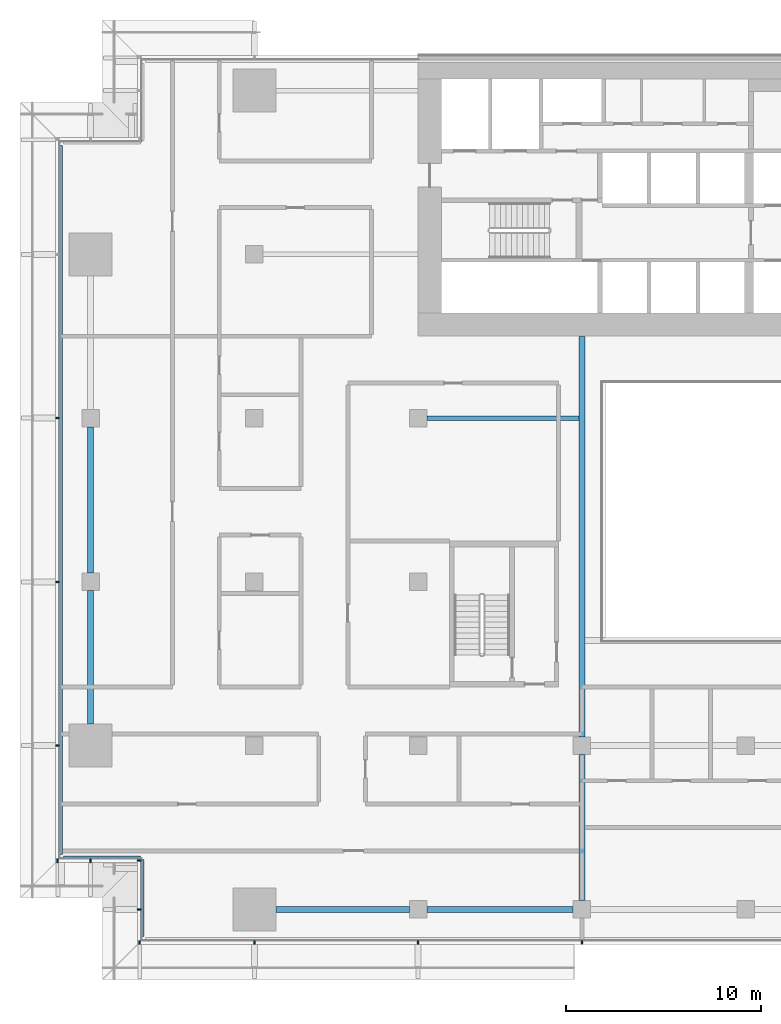
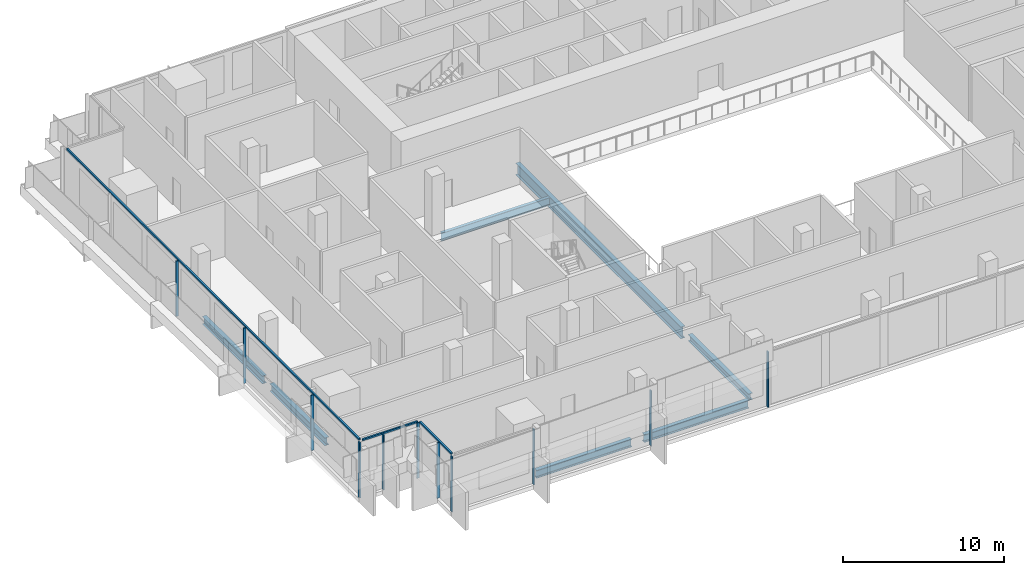
# One storey, part 2 of 23: 14 members, 7 beams, 4 elements without a shape of their own.
"""IFC4 building model written with IfcOpenShell, lengths in metres."""

from ifc_helpers import new_model, si_unit, direction, frame, origin, origin_2d, place, context, subcontext, project, spatial, rectangle, i_section, extrude, material, material_profile, profile_set, type_object, element, aggregate, save


model = new_model("IFC4")

# Units and contexts
model_context = context("Model", 3, precision=1e-05, world=origin(), true_north=direction((0.0, 1.0)))
body_context = subcontext(model_context, "Body", "Model", "MODEL_VIEW")
ifc_project = project(units=[si_unit("LENGTHUNIT", "METRE"), si_unit("AREAUNIT", "SQUARE_METRE"), si_unit("VOLUMEUNIT", "CUBIC_METRE"), si_unit("PLANEANGLEUNIT", "RADIAN"), si_unit("MASSUNIT", "GRAM", prefix="KILO")], contexts=[model_context])

# Site, building, storey
site_placement = place(None, origin())
site = spatial("IfcSite", under=ifc_project, at=site_placement, CompositionType="ELEMENT")
building_placement = place(site_placement, origin())
building = spatial("IfcBuilding", under=site, at=building_placement, Name="Saffron Gate Tower", CompositionType="ELEMENT")
storey_placement = place(building_placement, frame((0.0, 0.0, 23.699951171875)))
storey = spatial("IfcBuildingStorey", under=building, at=storey_placement, Name="L04", CompositionType="ELEMENT", Elevation=23.699951171875)

# Beams
ifc_material_1 = material(Name="Structural steel S355", Category="steel")
ifc_material_profile_1 = material_profile(ifc_material_1, i_section(OverallWidth=0.300048828125, OverallDepth=0.590087890625, WebThickness=0.012939453125, FlangeThickness=0.02490234375, FilletRadius=0.027099609375, at=origin_2d()))
ifc_profile_set_1 = profile_set([ifc_material_profile_1], Name="Structural steel S355")
beam_type_1 = type_object("IfcBeamType", Name="B14 HEA 600", PredefinedType="SPANDREL", material=ifc_profile_set_1)
beam_1_placement = place(storey_placement, frame((49.800048828125, 41.300048828125, -0.594970703125), z_axis=(0.0, 1.0, 0.0), x_axis=(-1.0, 0.0, 0.0)))
element("IfcBeam", 1, at=beam_1_placement, inside=storey, type_object=beam_type_1, Name="B14 SPANDREL BEAM", PredefinedType="SPANDREL", context=body_context, shape_type="SweptSolid", body=[
    extrude(i_section(OverallWidth=0.300048828125, OverallDepth=0.590087890625, WebThickness=0.012939453125, FlangeThickness=0.02490234375, FilletRadius=0.027099609375, at=origin_2d()), origin(), (0.0, 0.0, 1.0), 6.849853515625),
])
beam_2_placement = place(storey_placement, frame((49.800048828125, 49.050048828125, -0.594970703125), z_axis=(0.0, 1.0, 0.0), x_axis=(-1.0, 0.0, 0.0)))
element("IfcBeam", 2, at=beam_2_placement, inside=storey, type_object=beam_type_1, Name="B14 SPANDREL BEAM", PredefinedType="SPANDREL", context=body_context, shape_type="SweptSolid", body=[
    extrude(i_section(OverallWidth=0.300048828125, OverallDepth=0.590087890625, WebThickness=0.012939453125, FlangeThickness=0.02490234375, FilletRadius=0.027099609375, at=origin_2d()), origin(), (0.0, 0.0, 1.0), 7.5),
])
beam_3_placement = place(storey_placement, frame((59.300048828125, 31.800048828125, -0.594970703125), z_axis=(1.0, 0.0, 0.0), x_axis=(0.0, 1.0, 0.0)))
element("IfcBeam", 3, at=beam_3_placement, inside=storey, type_object=beam_type_1, Name="B14 SPANDREL BEAM", PredefinedType="SPANDREL", context=body_context, shape_type="SweptSolid", body=[
    extrude(i_section(OverallWidth=0.300048828125, OverallDepth=0.590087890625, WebThickness=0.012939453125, FlangeThickness=0.02490234375, FilletRadius=0.027099609375, at=origin_2d()), origin(), (0.0, 0.0, 1.0), 6.849853515625),
])
beam_4_placement = place(storey_placement, frame((67.050048828125, 31.800048828125, -0.594970703125), z_axis=(1.0, 0.0, 0.0), x_axis=(0.0, 1.0, 0.0)))
element("IfcBeam", 4, at=beam_4_placement, inside=storey, type_object=beam_type_1, Name="B14 SPANDREL BEAM", PredefinedType="SPANDREL", context=body_context, shape_type="SweptSolid", body=[
    extrude(i_section(OverallWidth=0.300048828125, OverallDepth=0.590087890625, WebThickness=0.012939453125, FlangeThickness=0.02490234375, FilletRadius=0.027099609375, at=origin_2d()), origin(), (0.0, 0.0, 1.0), 7.5),
])
ifc_material_profile_2 = material_profile(ifc_material_1, i_section(OverallWidth=0.219970703125, OverallDepth=0.60009765625, WebThickness=0.011962890625, FlangeThickness=0.01904296875, FilletRadius=0.02392578125, at=origin_2d()))
ifc_profile_set_2 = profile_set([ifc_material_profile_2], Name="Structural steel S355")
beam_type_2 = type_object("IfcBeamType", Name="B15 IPE 600", PredefinedType="BEAM", material=ifc_profile_set_2)
beam_5_placement = place(storey_placement, frame((67.050048828125, 57.0, -0.599853515625), z_axis=(1.0, 0.0, 0.0), x_axis=(0.0, 1.0, 0.0)))
element("IfcBeam", 5, at=beam_5_placement, inside=storey, type_object=beam_type_2, Name="B15 CORE TIE BEAM", PredefinedType="BEAM", context=body_context, shape_type="SweptSolid", body=[
    extrude(i_section(OverallWidth=0.219970703125, OverallDepth=0.60009765625, WebThickness=0.011962890625, FlangeThickness=0.01904296875, FilletRadius=0.02392578125, at=origin_2d()), origin(), (0.0, 0.0, 1.0), 7.800048828125),
])
ifc_material_profile_3 = material_profile(ifc_material_1, i_section(OverallWidth=0.300048828125, OverallDepth=0.89990234375, WebThickness=0.0185546875, FlangeThickness=0.034912109375, FilletRadius=0.030029296875, at=origin_2d()))
ifc_profile_set_3 = profile_set([ifc_material_profile_3], Name="Structural steel S355")
beam_type_3 = type_object("IfcBeamType", Name="B20 HEB 900", PredefinedType="BEAM", material=ifc_profile_set_3)
beam_6_placement = place(storey_placement, frame((75.0, 40.64990234375, -0.75), z_axis=(0.0, 1.0, 0.0), x_axis=(-1.0, 0.0, 0.0)))
element("IfcBeam", 6, at=beam_6_placement, inside=storey, type_object=beam_type_3, Name="B20 ATRIUM GIRDER", PredefinedType="BEAM", context=body_context, shape_type="SweptSolid", body=[
    extrude(i_section(OverallWidth=0.300048828125, OverallDepth=0.89990234375, WebThickness=0.0185546875, FlangeThickness=0.034912109375, FilletRadius=0.030029296875, at=origin_2d()), origin(), (0.0, 0.0, 1.0), 20.550048828125),
])
ifc_material_profile_4 = material_profile(ifc_material_1, i_section(OverallWidth=0.300048828125, OverallDepth=0.5, WebThickness=0.014404296875, FlangeThickness=0.028076171875, FilletRadius=0.027099609375, at=origin_2d()))
ifc_profile_set_4 = profile_set([ifc_material_profile_4], Name="Structural steel S355")
beam_type_4 = type_object("IfcBeamType", Name="B9 HEB 500", PredefinedType="BEAM", material=ifc_profile_set_4)
beam_7_placement = place(storey_placement, frame((75.0, 32.25, -0.550048828125), z_axis=(0.0, 1.0, 0.0), x_axis=(-1.0, 0.0, 0.0)))
element("IfcBeam", 7, at=beam_7_placement, inside=storey, type_object=beam_type_4, Name="B9 FLOOR GIRDER", PredefinedType="BEAM", context=body_context, shape_type="SweptSolid", body=[
    extrude(i_section(OverallWidth=0.300048828125, OverallDepth=0.5, WebThickness=0.014404296875, FlangeThickness=0.028076171875, FilletRadius=0.027099609375, at=origin_2d()), origin(), (0.0, 0.0, 1.0), 7.5),
])

# Curtain wall, member
ifc_material_2 = material(Name="Aluminium, bronze anodised", Category="aluminium")
curtain_wall_type = type_object("IfcCurtainWallType", Name="CWS6 curtain wall tall storeys", PredefinedType="NOTDEFINED", material=ifc_material_2)
curtain_wall_1_placement = place(storey_placement, origin())
curtain_wall_1 = element("IfcCurtainWall", 8, at=curtain_wall_1_placement, inside=storey, type_object=curtain_wall_type, Name="CWS6 run 10", PredefinedType="NOTDEFINED")
ifc_material_profile_5 = material_profile(ifc_material_2, rectangle(XDim=0.1201171875, YDim=0.1201171875, at=origin_2d()))
ifc_profile_set_5 = profile_set([ifc_material_profile_5], Name="Aluminium, bronze anodised")
member_type_1 = type_object("IfcMemberType", Name="CWS6 head transom", PredefinedType="USERDEFINED", material=ifc_profile_set_5)
member_1_placement = place(storey_placement, frame((48.2880859375, 70.991943359375, 4.14013671875), z_axis=(0.0, -1.0, 0.0), x_axis=(1.0, 0.0, 0.0)))
member_1 = element("IfcMember", 9, at=member_1_placement, type_object=member_type_1, Name="CWS6 head transom", ObjectType="TRANSOM", PredefinedType="USERDEFINED", context=body_context, shape_type="SweptSolid", body=[
    extrude(rectangle(XDim=0.1201171875, YDim=0.1201171875, at=origin_2d()), origin(), (0.0, 0.0, 1.0), 36.384033203125),
])

curtain_wall_2_placement = place(storey_placement, origin())
curtain_wall_2 = element("IfcCurtainWall", 10, at=curtain_wall_2_placement, inside=storey, type_object=curtain_wall_type, Name="CWS6 run 11", PredefinedType="NOTDEFINED")
member_2_placement = place(storey_placement, frame((48.407958984375, 34.488037109375, 4.14013671875), z_axis=(1.0, 0.0, 0.0), x_axis=(0.0, 1.0, 0.0)))
member_2 = element("IfcMember", 11, at=member_2_placement, type_object=member_type_1, Name="CWS6 head transom", ObjectType="TRANSOM", PredefinedType="USERDEFINED", context=body_context, shape_type="SweptSolid", body=[
    extrude(rectangle(XDim=0.1201171875, YDim=0.1201171875, at=origin_2d()), origin(), (0.0, 0.0, 1.0), 3.9599609375),
])

curtain_wall_3_placement = place(storey_placement, origin())
curtain_wall_3 = element("IfcCurtainWall", 12, at=curtain_wall_3_placement, inside=storey, type_object=curtain_wall_type, Name="CWS6 run 12", PredefinedType="NOTDEFINED")
member_3_placement = place(storey_placement, frame((52.488037109375, 34.367919921875, 4.14013671875), z_axis=(0.0, -1.0, 0.0), x_axis=(1.0, 0.0, 0.0)))
member_3 = element("IfcMember", 13, at=member_3_placement, type_object=member_type_1, Name="CWS6 head transom", ObjectType="TRANSOM", PredefinedType="USERDEFINED", context=body_context, shape_type="SweptSolid", body=[
    extrude(rectangle(XDim=0.1201171875, YDim=0.1201171875, at=origin_2d()), origin(), (0.0, 0.0, 1.0), 3.9599609375),
])

# Curtain wall, members
curtain_wall_4_placement = place(storey_placement, origin())
curtain_wall_4 = element("IfcCurtainWall", 14, at=curtain_wall_4_placement, inside=storey, type_object=curtain_wall_type, Name="CWS6 run 1", PredefinedType="NOTDEFINED")
ifc_material_profile_6 = material_profile(ifc_material_2, rectangle(XDim=0.199951171875, YDim=0.080078125, at=origin_2d()))
ifc_profile_set_6 = profile_set([ifc_material_profile_6], Name="Aluminium, bronze anodised")
member_type_2 = type_object("IfcMemberType", Name="CWS6 mullion 80x200", PredefinedType="MULLION", material=ifc_profile_set_6)
member_4_placement = place(storey_placement, frame((52.300048828125, 30.10009765625, 0.0), z_axis=(0.0, 0.0, 1.0), x_axis=(0.0, 1.0, 0.0)))
member_4 = element("IfcMember", 15, at=member_4_placement, type_object=member_type_2, Name="CWS6 mullion 1", PredefinedType="MULLION", context=body_context, shape_type="SweptSolid", body=[
    extrude(rectangle(XDim=0.199951171875, YDim=0.080078125, at=origin_2d()), origin(), (0.0, 0.0, 1.0), 4.199951171875),
])
member_5_placement = place(storey_placement, frame((58.199951171875, 30.10009765625, 0.0), z_axis=(0.0, 0.0, 1.0), x_axis=(0.0, 1.0, 0.0)))
member_5 = element("IfcMember", 16, at=member_5_placement, type_object=member_type_2, Name="CWS6 mullion 2", PredefinedType="MULLION", context=body_context, shape_type="SweptSolid", body=[
    extrude(rectangle(XDim=0.199951171875, YDim=0.080078125, at=origin_2d()), origin(), (0.0, 0.0, 1.0), 4.199951171875),
])
member_6_placement = place(storey_placement, frame((66.60009765625, 30.10009765625, 0.0), z_axis=(0.0, 0.0, 1.0), x_axis=(0.0, 1.0, 0.0)))
member_6 = element("IfcMember", 17, at=member_6_placement, type_object=member_type_2, Name="CWS6 mullion 3", PredefinedType="MULLION", context=body_context, shape_type="SweptSolid", body=[
    extrude(rectangle(XDim=0.199951171875, YDim=0.080078125, at=origin_2d()), origin(), (0.0, 0.0, 1.0), 4.199951171875),
])
member_7_placement = place(storey_placement, frame((75.0, 30.10009765625, 0.0), z_axis=(0.0, 0.0, 1.0), x_axis=(0.0, 1.0, 0.0)))
member_7 = element("IfcMember", 18, at=member_7_placement, type_object=member_type_2, Name="CWS6 mullion 4", PredefinedType="MULLION", context=body_context, shape_type="SweptSolid", body=[
    extrude(rectangle(XDim=0.199951171875, YDim=0.080078125, at=origin_2d()), origin(), (0.0, 0.0, 1.0), 4.199951171875),
])
aggregate(curtain_wall_4, [member_4, member_5, member_6, member_7])

# Member
member_8_placement = place(storey_placement, frame((48.10009765625, 57.0, 0.0), z_axis=(0.0, 0.0, 1.0), x_axis=(1.0, 0.0, 0.0)))
member_8 = element("IfcMember", 19, at=member_8_placement, type_object=member_type_2, Name="CWS6 mullion 3", PredefinedType="MULLION", context=body_context, shape_type="SweptSolid", body=[
    extrude(rectangle(XDim=0.199951171875, YDim=0.080078125, at=origin_2d()), origin(), (0.0, 0.0, 1.0), 4.199951171875),
])

member_9_placement = place(storey_placement, frame((48.10009765625, 48.60009765625, 0.0), z_axis=(0.0, 0.0, 1.0), x_axis=(1.0, 0.0, 0.0)))
member_9 = element("IfcMember", 20, at=member_9_placement, type_object=member_type_2, Name="CWS6 mullion 4", PredefinedType="MULLION", context=body_context, shape_type="SweptSolid", body=[
    extrude(rectangle(XDim=0.199951171875, YDim=0.080078125, at=origin_2d()), origin(), (0.0, 0.0, 1.0), 4.199951171875),
])

member_10_placement = place(storey_placement, frame((48.10009765625, 40.199951171875, 0.0), z_axis=(0.0, 0.0, 1.0), x_axis=(1.0, 0.0, 0.0)))
member_10 = element("IfcMember", 21, at=member_10_placement, type_object=member_type_2, Name="CWS6 mullion 5", PredefinedType="MULLION", context=body_context, shape_type="SweptSolid", body=[
    extrude(rectangle(XDim=0.199951171875, YDim=0.080078125, at=origin_2d()), origin(), (0.0, 0.0, 1.0), 4.199951171875),
])

aggregate(curtain_wall_1, [member_8, member_9, member_10, member_1])

member_11_placement = place(storey_placement, frame((48.10009765625, 34.300048828125, 0.0), z_axis=(0.0, 0.0, 1.0), x_axis=(0.0, 1.0, 0.0)))
member_11 = element("IfcMember", 22, at=member_11_placement, type_object=member_type_2, Name="CWS6 mullion 1", PredefinedType="MULLION", context=body_context, shape_type="SweptSolid", body=[
    extrude(rectangle(XDim=0.199951171875, YDim=0.080078125, at=origin_2d()), origin(), (0.0, 0.0, 1.0), 4.199951171875),
])

member_12_placement = place(storey_placement, frame((49.800048828125, 34.300048828125, 0.0), z_axis=(0.0, 0.0, 1.0), x_axis=(0.0, 1.0, 0.0)))
member_12 = element("IfcMember", 23, at=member_12_placement, type_object=member_type_2, Name="CWS6 mullion 2", PredefinedType="MULLION", context=body_context, shape_type="SweptSolid", body=[
    extrude(rectangle(XDim=0.199951171875, YDim=0.080078125, at=origin_2d()), origin(), (0.0, 0.0, 1.0), 4.199951171875),
])

aggregate(curtain_wall_2, [member_11, member_12, member_2])

member_13_placement = place(storey_placement, frame((52.300048828125, 34.300048828125, 0.0), z_axis=(0.0, 0.0, 1.0), x_axis=(1.0, 0.0, 0.0)))
member_13 = element("IfcMember", 24, at=member_13_placement, type_object=member_type_2, Name="CWS6 mullion 1", PredefinedType="MULLION", context=body_context, shape_type="SweptSolid", body=[
    extrude(rectangle(XDim=0.199951171875, YDim=0.080078125, at=origin_2d()), origin(), (0.0, 0.0, 1.0), 4.199951171875),
])

member_14_placement = place(storey_placement, frame((52.300048828125, 31.800048828125, 0.0), z_axis=(0.0, 0.0, 1.0), x_axis=(1.0, 0.0, 0.0)))
member_14 = element("IfcMember", 25, at=member_14_placement, type_object=member_type_2, Name="CWS6 mullion 2", PredefinedType="MULLION", context=body_context, shape_type="SweptSolid", body=[
    extrude(rectangle(XDim=0.199951171875, YDim=0.080078125, at=origin_2d()), origin(), (0.0, 0.0, 1.0), 4.199951171875),
])

aggregate(curtain_wall_3, [member_13, member_14, member_3])

save(model, "model.ifc")
